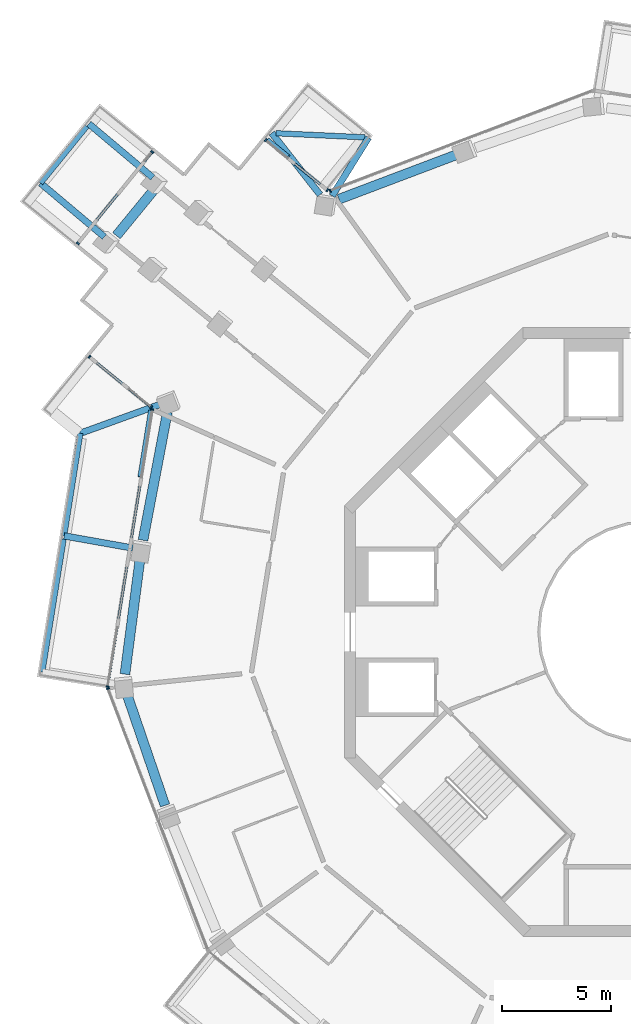
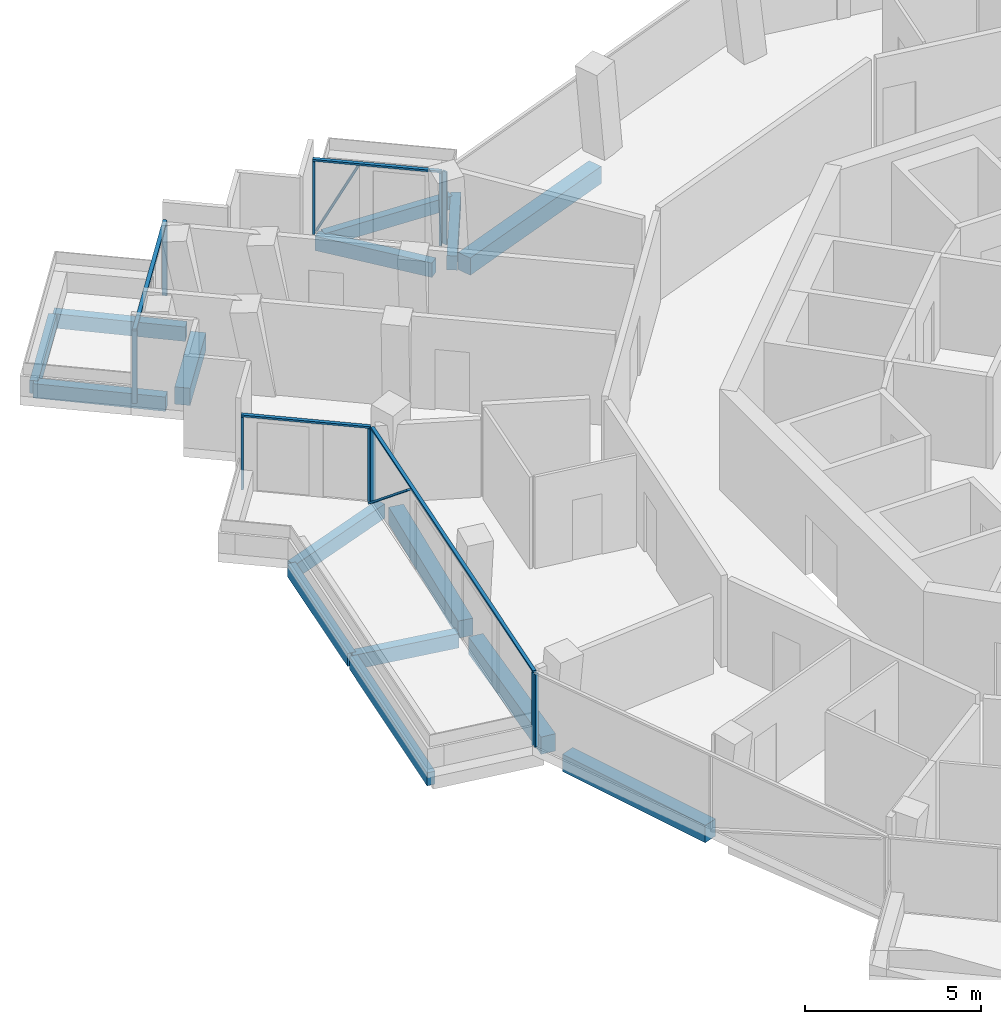
# One storey, part 6 of 23: 16 members, 15 beams, 6 elements without a shape of their own.
"""IFC4 building model written with IfcOpenShell, lengths in metres."""

from ifc_helpers import new_model, si_unit, direction, frame, origin, origin_2d, place, context, subcontext, project, spatial, rectangle, extrude, material, layer, layer_set, material_profile, profile_set, type_object, element, aggregate, save


model = new_model("IFC4")

# Units and contexts
model_context = context("Model", 3, precision=1e-05, world=origin(), true_north=direction((0.0, 1.0)))
body_context = subcontext(model_context, "Body", "Model", "MODEL_VIEW")
ifc_project = project(units=[si_unit("LENGTHUNIT", "METRE"), si_unit("AREAUNIT", "SQUARE_METRE"), si_unit("VOLUMEUNIT", "CUBIC_METRE"), si_unit("PLANEANGLEUNIT", "RADIAN"), si_unit("MASSUNIT", "GRAM", prefix="KILO")], contexts=[model_context])

# Site, building, storey
site_placement = place(None, origin())
site = spatial("IfcSite", under=ifc_project, at=site_placement, CompositionType="ELEMENT")
building_placement = place(site_placement, origin())
building = spatial("IfcBuilding", under=site, at=building_placement, Name="Verdalira Terraces Hotel", CompositionType="ELEMENT")
storey_placement = place(building_placement, frame((0.0, 0.0, 241.0)))
storey = spatial("IfcBuildingStorey", under=building, at=storey_placement, Name="L59", CompositionType="ELEMENT", Elevation=241.0)

# Beams
ifc_material_1 = material(Name="Concrete C40", Category="concrete")
ifc_material_profile_1 = material_profile(ifc_material_1, rectangle(XDim=0.300049, YDim=0.5, at=origin_2d()), Name="RC 300X500")
ifc_profile_set_1 = profile_set([ifc_material_profile_1], Name="Concrete C40")
beam_type_1 = type_object("IfcBeamType", Name="Balcony cantilever beam RC 300X500 C40", PredefinedType="BEAM", material=ifc_profile_set_1)
beam_1_placement = place(storey_placement, frame((-15.130615, 20.108887, -0.560059), z_axis=(-0.616712423, 0.787188533, 0.0), x_axis=(-0.787188533, -0.616712423, 0.0)))
element("IfcBeam", 1, at=beam_1_placement, inside=storey, type_object=beam_type_1, Name="Balcony cantilever beam R00-1", PredefinedType="BEAM", context=body_context, shape_type="SweptSolid", body=[
    extrude(rectangle(XDim=0.300049, YDim=0.5, at=origin_2d()), origin(), (0.0, 0.0, 1.0), 3.598877),
])
beam_2_placement = place(storey_placement, frame((-14.571777, 20.052002, -0.560059), z_axis=(0.528846969, 0.848717199, 0.0), x_axis=(-0.848717199, 0.528846969, 0.0)))
element("IfcBeam", 2, at=beam_2_placement, inside=storey, type_object=beam_type_1, Name="Balcony cantilever beam R00-2", PredefinedType="BEAM", context=body_context, shape_type="SweptSolid", body=[
    extrude(rectangle(XDim=0.300049, YDim=0.5, at=origin_2d()), origin(), (0.0, 0.0, 1.0), 3.163574),
])
beam_3_placement = place(storey_placement, frame((-22.823242, 20.894775, -0.560059), z_axis=(-0.765138608, 0.6438656, 0.0), x_axis=(-0.6438656, -0.765138608, 0.0)))
element("IfcBeam", 3, at=beam_3_placement, inside=storey, type_object=beam_type_1, Name="Balcony cantilever beam R05-1", PredefinedType="BEAM", context=body_context, shape_type="SweptSolid", body=[
    extrude(rectangle(XDim=0.300049, YDim=0.5, at=origin_2d()), origin(), (0.0, 0.0, 1.0), 3.841064),
])
beam_4_placement = place(storey_placement, frame((-25.048096, 18.166992, -0.560059), z_axis=(-0.765124058, 0.64388289, 0.0), x_axis=(-0.64388289, -0.765124058, 0.0)))
element("IfcBeam", 4, at=beam_4_placement, inside=storey, type_object=beam_type_1, Name="Balcony cantilever beam R05-2", PredefinedType="BEAM", context=body_context, shape_type="SweptSolid", body=[
    extrude(rectangle(XDim=0.300049, YDim=0.5, at=origin_2d()), origin(), (0.0, 0.0, 1.0), 3.835938),
])
beam_5_placement = place(storey_placement, frame((-22.439941, 10.480225, -0.560059), z_axis=(-0.940175418, -0.340690744, 0.0), x_axis=(0.340690744, -0.940175418, 0.0)))
element("IfcBeam", 5, at=beam_5_placement, inside=storey, type_object=beam_type_1, Name="Balcony cantilever beam R10-1", PredefinedType="BEAM", context=body_context, shape_type="SweptSolid", body=[
    extrude(rectangle(XDim=0.300049, YDim=0.5, at=origin_2d()), origin(), (0.0, 0.0, 1.0), 3.949951),
])
beam_6_placement = place(storey_placement, frame((-23.747314, 3.854492, -0.560059), z_axis=(-0.984559294, 0.175051408, 0.0), x_axis=(-0.175051408, -0.984559294, 0.0)))
element("IfcBeam", 6, at=beam_6_placement, inside=storey, type_object=beam_type_1, Name="Balcony cantilever beam R10-2", PredefinedType="BEAM", context=body_context, shape_type="SweptSolid", body=[
    extrude(rectangle(XDim=0.300049, YDim=0.5, at=origin_2d()), origin(), (0.0, 0.0, 1.0), 3.200684),
])
ifc_material_2 = material(Name="Concrete C40", Category="concrete")
ifc_material_profile_2 = material_profile(ifc_material_2, rectangle(XDim=0.25, YDim=0.449951, at=origin_2d()), Name="RC 250X450")
ifc_profile_set_2 = profile_set([ifc_material_profile_2], Name="Concrete C40")
beam_type_2 = type_object("IfcBeamType", Name="Balcony edge beam RC 250X450 C40", PredefinedType="BEAM", material=ifc_profile_set_2)
beam_7_placement = place(storey_placement, frame((-17.152344, 22.932861, -0.534912), z_axis=(0.998941135, -0.04600662, 0.0), x_axis=(0.04600662, 0.998941135, 0.0)))
element("IfcBeam", 7, at=beam_7_placement, inside=storey, type_object=beam_type_2, Name="Balcony edge beam R00-1", PredefinedType="BEAM", context=body_context, shape_type="SweptSolid", body=[
    extrude(rectangle(XDim=0.25, YDim=0.449951, at=origin_2d()), origin(), (0.0, 0.0, 1.0), 4.086182),
])
beam_8_placement = place(storey_placement, frame((-25.856934, 23.251465, -0.534912), z_axis=(-0.630938943, -0.775832488, 0.0), x_axis=(0.775832488, -0.630938943, 0.0)))
element("IfcBeam", 8, at=beam_8_placement, inside=storey, type_object=beam_type_2, Name="Balcony edge beam R05-1", PredefinedType="BEAM", context=body_context, shape_type="SweptSolid", body=[
    extrude(rectangle(XDim=0.25, YDim=0.449951, at=origin_2d()), origin(), (0.0, 0.0, 1.0), 3.369873),
])
beam_9_placement = place(storey_placement, frame((-26.153564, 9.134521, -0.534912), z_axis=(-0.155941583, -0.987766279, 0.0), x_axis=(0.987766279, -0.155941583, 0.0)))
element("IfcBeam", 9, at=beam_9_placement, inside=storey, type_object=beam_type_2, Name="Balcony edge beam R10-1", PredefinedType="BEAM", context=body_context, shape_type="SweptSolid", body=[
    extrude(rectangle(XDim=0.25, YDim=0.449951, at=origin_2d()), origin(), (0.0, 0.0, 1.0), 4.778076),
])
beam_10_placement = place(storey_placement, frame((-26.922363, 4.266602, -0.534912), z_axis=(-0.158511425, -0.987357143, 0.0), x_axis=(0.987357143, -0.158511425, 0.0)))
element("IfcBeam", 10, at=beam_10_placement, inside=storey, type_object=beam_type_2, Name="Balcony edge beam R10-2", PredefinedType="BEAM", context=body_context, shape_type="SweptSolid", body=[
    extrude(rectangle(XDim=0.25, YDim=0.449951, at=origin_2d()), origin(), (0.0, 0.0, 1.0), 6.196289),
])

# Curtain wall, members
ifc_material_3 = material(Name="Clear glass", Category="glass")
ifc_layer_1 = layer(ifc_material_3, 0.14990234375)
ifc_layer_set_1 = layer_set([ifc_layer_1], Name="CW1 curtain wall")
curtain_wall_type_1 = type_object("IfcCurtainWallType", Name="CW1 curtain wall", PredefinedType="NOTDEFINED", material=ifc_layer_set_1)
curtain_wall_1_placement = place(storey_placement, origin())
curtain_wall_1 = element("IfcCurtainWall", 11, at=curtain_wall_1_placement, inside=storey, type_object=curtain_wall_type_1, Name="CW1 curtain wall L59 edge 11", PredefinedType="NOTDEFINED")
ifc_material_4 = material(Name="Terracotta frame", Category="masonry")
ifc_material_profile_3 = material_profile(ifc_material_4, rectangle(XDim=0.060059, YDim=0.149902, at=origin_2d()), Name="MU 60x150")
ifc_profile_set_3 = profile_set([ifc_material_profile_3], Name="Terracotta frame")
member_type_1 = type_object("IfcMemberType", Name="CW1 mullion 60x150", PredefinedType="MULLION", material=ifc_profile_set_3)
member_1_placement = place(storey_placement, frame((-22.852051, 10.221436, 0.0), z_axis=(0.0, 0.0, 1.0), x_axis=(-0.15850273, -0.987358539, 0.0)))
member_1 = element("IfcMember", 12, at=member_1_placement, type_object=member_type_1, Name="CW1 mullion", PredefinedType="MULLION", context=body_context, shape_type="SweptSolid", body=[
    extrude(rectangle(XDim=0.060059, YDim=0.149902, at=origin_2d()), origin(), (0.0, 0.0, 1.0), 2.524902),
])
member_2_placement = place(storey_placement, frame((-24.896729, -2.515381, 0.0), z_axis=(0.0, 0.0, 1.0), x_axis=(-0.15850273, -0.987358539, 0.0)))
member_2 = element("IfcMember", 13, at=member_2_placement, type_object=member_type_1, Name="CW1 mullion", PredefinedType="MULLION", context=body_context, shape_type="SweptSolid", body=[
    extrude(rectangle(XDim=0.060059, YDim=0.149902, at=origin_2d()), origin(), (0.0, 0.0, 1.0), 2.524902),
])

# Curtain wall, member
curtain_wall_2_placement = place(storey_placement, origin())
curtain_wall_2 = element("IfcCurtainWall", 14, at=curtain_wall_2_placement, inside=storey, type_object=curtain_wall_type_1, Name="CW1 curtain wall L59 edge 12", PredefinedType="NOTDEFINED")
member_3_placement = place(storey_placement, frame((-24.886963, -2.611572, 0.0), z_axis=(0.0, 0.0, 1.0), x_axis=(0.356411879, -0.934328942, 0.0)))
member_3 = element("IfcMember", 15, at=member_3_placement, type_object=member_type_1, Name="CW1 mullion", PredefinedType="MULLION", context=body_context, shape_type="SweptSolid", body=[
    extrude(rectangle(XDim=0.060059, YDim=0.149902, at=origin_2d()), origin(), (0.0, 0.0, 1.0), 2.524902),
])
aggregate(curtain_wall_2, [member_3])

curtain_wall_3_placement = place(storey_placement, origin())
curtain_wall_3 = element("IfcCurtainWall", 16, at=curtain_wall_3_placement, inside=storey, type_object=curtain_wall_type_1, Name="CW1 curtain wall L59 edge 41", PredefinedType="NOTDEFINED")
member_4_placement = place(storey_placement, frame((-14.664307, 20.289307, 0.0), z_axis=(0.0, 0.0, 1.0), x_axis=(-0.934328942, -0.356411879, 0.0)))
member_4 = element("IfcMember", 17, at=member_4_placement, type_object=member_type_1, Name="CW1 mullion", PredefinedType="MULLION", context=body_context, shape_type="SweptSolid", body=[
    extrude(rectangle(XDim=0.060059, YDim=0.149902, at=origin_2d()), origin(), (0.0, 0.0, 1.0), 2.524902),
])
aggregate(curtain_wall_3, [member_4])

# Member
ifc_material_5 = material(Name="Terracotta frame", Category="masonry")
ifc_material_profile_4 = material_profile(ifc_material_5, rectangle(XDim=0.110107, YDim=0.064941, at=origin_2d()), Name="TR 65x110")
ifc_profile_set_4 = profile_set([ifc_material_profile_4], Name="Terracotta frame")
member_type_2 = type_object("IfcMemberType", Name="CW1 transom 65x110", PredefinedType="USERDEFINED", material=ifc_profile_set_4)
member_5_placement = place(storey_placement, frame((-22.847412, 10.250977, 2.557617), z_axis=(-0.158506258, -0.987357973, 0.0), x_axis=(0.987357973, -0.158506258, 0.0)))
member_5 = element("IfcMember", 18, at=member_5_placement, type_object=member_type_2, Name="CW1 transom", ObjectType="TRANSOM", PredefinedType="USERDEFINED", context=body_context, shape_type="SweptSolid", body=[
    extrude(rectangle(XDim=0.110107, YDim=0.064941, at=origin_2d()), origin(), (0.0, 0.0, 1.0), 12.959717),
])

# Curtain wall, members
ifc_material_6 = material(Name="Clear glass", Category="glass")
ifc_layer_2 = layer(ifc_material_6, 0.14990234375)
ifc_layer_set_2 = layer_set([ifc_layer_2], Name="CW2 curtain wall")
curtain_wall_type_2 = type_object("IfcCurtainWallType", Name="CW2 curtain wall", PredefinedType="NOTDEFINED", material=ifc_layer_set_2)
curtain_wall_4_placement = place(storey_placement, origin())
curtain_wall_4 = element("IfcCurtainWall", 19, at=curtain_wall_4_placement, inside=storey, type_object=curtain_wall_type_2, Name="CW2 curtain wall L59 edge 0", PredefinedType="NOTDEFINED")
ifc_material_7 = material(Name="Terracotta frame", Category="masonry")
ifc_material_profile_5 = material_profile(ifc_material_7, rectangle(XDim=0.070068, YDim=0.149902, at=origin_2d()), Name="MU 70x150")
ifc_profile_set_5 = profile_set([ifc_material_profile_5], Name="Terracotta frame")
member_type_3 = type_object("IfcMemberType", Name="CW2 mullion 70x150", PredefinedType="MULLION", material=ifc_profile_set_5)
member_6_placement = place(storey_placement, frame((-14.793457, 20.3125, 0.0), z_axis=(0.0, 0.0, 1.0), x_axis=(-0.775826212, 0.63094666, 0.0)))
member_6 = element("IfcMember", 20, at=member_6_placement, type_object=member_type_3, Name="CW2 mullion", PredefinedType="MULLION", context=body_context, shape_type="SweptSolid", body=[
    extrude(rectangle(XDim=0.070068, YDim=0.149902, at=origin_2d()), origin(), (0.0, 0.0, 1.0), 2.524902),
])
member_7_placement = place(storey_placement, frame((-17.627197, 22.616943, 0.0), z_axis=(0.0, 0.0, 1.0), x_axis=(-0.775826212, 0.63094666, 0.0)))
member_7 = element("IfcMember", 21, at=member_7_placement, type_object=member_type_3, Name="CW2 mullion", PredefinedType="MULLION", context=body_context, shape_type="SweptSolid", body=[
    extrude(rectangle(XDim=0.070068, YDim=0.149902, at=origin_2d()), origin(), (0.0, 0.0, 1.0), 2.524902),
])

curtain_wall_5_placement = place(storey_placement, origin())
curtain_wall_5 = element("IfcCurtainWall", 22, at=curtain_wall_5_placement, inside=storey, type_object=curtain_wall_type_2, Name="CW2 curtain wall L59 edge 10", PredefinedType="NOTDEFINED")
member_8_placement = place(storey_placement, frame((-25.734863, 12.647705, 0.0), z_axis=(0.0, 0.0, 1.0), x_axis=(0.775826212, -0.63094666, 0.0)))
member_8 = element("IfcMember", 23, at=member_8_placement, type_object=member_type_3, Name="CW2 mullion", PredefinedType="MULLION", context=body_context, shape_type="SweptSolid", body=[
    extrude(rectangle(XDim=0.070068, YDim=0.149902, at=origin_2d()), origin(), (0.0, 0.0, 1.0), 2.524902),
])
member_9_placement = place(storey_placement, frame((-22.901123, 10.343018, 0.0), z_axis=(0.0, 0.0, 1.0), x_axis=(0.775826212, -0.63094666, 0.0)))
member_9 = element("IfcMember", 24, at=member_9_placement, type_object=member_type_3, Name="CW2 mullion", PredefinedType="MULLION", context=body_context, shape_type="SweptSolid", body=[
    extrude(rectangle(XDim=0.070068, YDim=0.149902, at=origin_2d()), origin(), (0.0, 0.0, 1.0), 2.524902),
])

# Member
ifc_material_8 = material(Name="Terracotta frame", Category="masonry")
ifc_material_profile_6 = material_profile(ifc_material_8, rectangle(XDim=0.11499, YDim=0.064941, at=origin_2d()), Name="TR 65x115")
ifc_profile_set_6 = profile_set([ifc_material_profile_6], Name="Terracotta frame")
member_type_4 = type_object("IfcMemberType", Name="CW2 transom 65x115", PredefinedType="USERDEFINED", material=ifc_profile_set_6)
member_10_placement = place(storey_placement, frame((-14.766357, 20.290283, 2.557617), z_axis=(-0.77579493, 0.630985123, 0.0), x_axis=(-0.630985123, -0.77579493, 0.0)))
member_10 = element("IfcMember", 25, at=member_10_placement, type_object=member_type_4, Name="CW2 transom", ObjectType="TRANSOM", PredefinedType="USERDEFINED", context=body_context, shape_type="SweptSolid", body=[
    extrude(rectangle(XDim=0.11499, YDim=0.064941, at=origin_2d()), origin(), (0.0, 0.0, 1.0), 3.722656),
])

member_11_placement = place(storey_placement, frame((-25.761963, 12.669678, 2.557617), z_axis=(0.775827035, -0.630945649, 0.0), x_axis=(0.630945649, 0.775827035, 0.0)))
member_11 = element("IfcMember", 26, at=member_11_placement, type_object=member_type_4, Name="CW2 transom", ObjectType="TRANSOM", PredefinedType="USERDEFINED", context=body_context, shape_type="SweptSolid", body=[
    extrude(rectangle(XDim=0.11499, YDim=0.064941, at=origin_2d()), origin(), (0.0, 0.0, 1.0), 3.722412),
])

aggregate(curtain_wall_5, [member_8, member_9, member_11])

# Curtain wall, members
ifc_material_9 = material(Name="Clear glass", Category="glass")
ifc_layer_3 = layer(ifc_material_9, 0.14990234375)
ifc_layer_set_3 = layer_set([ifc_layer_3], Name="CW3 curtain wall")
curtain_wall_type_3 = type_object("IfcCurtainWallType", Name="CW3 curtain wall", PredefinedType="NOTDEFINED", material=ifc_layer_set_3)
curtain_wall_6_placement = place(storey_placement, origin())
curtain_wall_6 = element("IfcCurtainWall", 27, at=curtain_wall_6_placement, inside=storey, type_object=curtain_wall_type_3, Name="CW3 curtain wall L59 edge 5", PredefinedType="NOTDEFINED")
ifc_material_10 = material(Name="Terracotta frame", Category="masonry")
ifc_material_profile_7 = material_profile(ifc_material_10, rectangle(XDim=0.080078, YDim=0.149902, at=origin_2d()), Name="MU 80x150")
ifc_profile_set_7 = profile_set([ifc_material_profile_7], Name="Terracotta frame")
member_type_5 = type_object("IfcMemberType", Name="CW3 mullion 80x150", PredefinedType="MULLION", material=ifc_profile_set_7)
member_12_placement = place(storey_placement, frame((-22.849609, 22.075684, 0.0), z_axis=(0.0, 0.0, 1.0), x_axis=(-0.63094666, -0.775826212, 0.0)))
member_12 = element("IfcMember", 28, at=member_12_placement, type_object=member_type_5, Name="CW3 mullion", PredefinedType="MULLION", context=body_context, shape_type="SweptSolid", body=[
    extrude(rectangle(XDim=0.080078, YDim=0.149902, at=origin_2d()), origin(), (0.0, 0.0, 1.0), 2.524902),
])
member_13_placement = place(storey_placement, frame((-26.269287, 17.870605, 0.0), z_axis=(0.0, 0.0, 1.0), x_axis=(-0.63094666, -0.775826212, 0.0)))
member_13 = element("IfcMember", 29, at=member_13_placement, type_object=member_type_5, Name="CW3 mullion", PredefinedType="MULLION", context=body_context, shape_type="SweptSolid", body=[
    extrude(rectangle(XDim=0.080078, YDim=0.149902, at=origin_2d()), origin(), (0.0, 0.0, 1.0), 2.524902),
])
ifc_material_11 = material(Name="Terracotta frame", Category="masonry")
ifc_material_profile_8 = material_profile(ifc_material_11, rectangle(XDim=0.120117, YDim=0.064941, at=origin_2d()), Name="TR 65x120")
ifc_profile_set_8 = profile_set([ifc_material_profile_8], Name="Terracotta frame")
member_type_6 = type_object("IfcMemberType", Name="CW3 transom 65x120", PredefinedType="USERDEFINED", material=ifc_profile_set_8)
member_14_placement = place(storey_placement, frame((-22.824219, 22.106689, 2.557617), z_axis=(-0.630943494, -0.775828788, 0.0), x_axis=(0.775828788, -0.630943494, 0.0)))
member_14 = element("IfcMember", 30, at=member_14_placement, type_object=member_type_6, Name="CW3 transom", ObjectType="TRANSOM", PredefinedType="USERDEFINED", context=body_context, shape_type="SweptSolid", body=[
    extrude(rectangle(XDim=0.120117, YDim=0.064941, at=origin_2d()), origin(), (0.0, 0.0, 1.0), 5.5),
])
aggregate(curtain_wall_6, [member_12, member_13, member_14])

# Member
ifc_material_12 = material(Name="Terracotta frame", Category="masonry")
ifc_material_profile_9 = material_profile(ifc_material_12, rectangle(XDim=0.149902, YDim=0.060059, at=origin_2d()), Name="GB 60x150")
ifc_profile_set_9 = profile_set([ifc_material_profile_9], Name="Terracotta frame")
member_type_7 = type_object("IfcMemberType", Name="Diagonal glazing bar 60x150", PredefinedType="USERDEFINED", material=ifc_profile_set_9)
member_15_placement = place(storey_placement, frame((-16.569092, 21.873779, 2.470459), z_axis=(-0.351371233, 0.285691841, -0.891581981), x_axis=(-0.630862219, -0.775894877, 0.0)))
member_15 = element("IfcMember", 31, at=member_15_placement, type_object=member_type_7, Name="Diagonal glazing bar", ObjectType="GLAZING BAR", PredefinedType="USERDEFINED", context=body_context, shape_type="SweptSolid", body=[
    extrude(rectangle(XDim=0.149902, YDim=0.060059, at=origin_2d()), origin(), (0.0, 0.0, 1.0), 2.709717),
])

aggregate(curtain_wall_4, [member_6, member_7, member_10, member_15])

member_16_placement = place(storey_placement, frame((-22.949707, 10.175537, 0.024658), z_axis=(-0.123470013, -0.769431999, 0.626681383), x_axis=(0.98736828, -0.158442039, 0.0)))
member_16 = element("IfcMember", 32, at=member_16_placement, type_object=member_type_7, Name="Diagonal glazing bar", ObjectType="GLAZING BAR", PredefinedType="USERDEFINED", context=body_context, shape_type="SweptSolid", body=[
    extrude(rectangle(XDim=0.149902, YDim=0.060059, at=origin_2d()), origin(), (0.0, 0.0, 1.0), 3.950684),
])

aggregate(curtain_wall_1, [member_1, member_2, member_5, member_16])

# Beams
ifc_material_13 = material(Name="Concrete C40", Category="concrete")
ifc_material_profile_10 = material_profile(ifc_material_13, rectangle(XDim=0.449951, YDim=0.600098, at=origin_2d()), Name="RC 450X600")
ifc_profile_set_10 = profile_set([ifc_material_profile_10], Name="Concrete C40")
beam_type_3 = type_object("IfcBeamType", Name="Spandrel beam RC 450X600 C40", PredefinedType="SPANDREL", material=ifc_profile_set_10)
beam_11_placement = place(storey_placement, frame((-22.714844, 20.397461, -0.610107), z_axis=(-0.633228329, -0.77396504, 0.0), x_axis=(0.77396504, -0.633228329, 0.0)))
element("IfcBeam", 33, at=beam_11_placement, inside=storey, type_object=beam_type_3, Name="Spandrel beam B01", PredefinedType="SPANDREL", context=body_context, shape_type="SweptSolid", body=[
    extrude(rectangle(XDim=0.449951, YDim=0.600098, at=origin_2d()), origin(), (0.0, 0.0, 1.0), 2.810303),
])
beam_12_placement = place(storey_placement, frame((-22.150879, 10.109619, -0.610107), z_axis=(-0.186904541, -0.98237808, 0.0), x_axis=(0.98237808, -0.186904541, 0.0)))
element("IfcBeam", 34, at=beam_12_placement, inside=storey, type_object=beam_type_3, Name="Spandrel beam B02", PredefinedType="SPANDREL", context=body_context, shape_type="SweptSolid", body=[
    extrude(rectangle(XDim=0.449951, YDim=0.600098, at=origin_2d()), origin(), (0.0, 0.0, 1.0), 5.999512),
])
beam_13_placement = place(storey_placement, frame((-23.4021, 3.403809, -0.610107), z_axis=(-0.129892532, -0.991528078, 0.0), x_axis=(0.991528078, -0.129892532, 0.0)))
element("IfcBeam", 35, at=beam_13_placement, inside=storey, type_object=beam_type_3, Name="Spandrel beam B03", PredefinedType="SPANDREL", context=body_context, shape_type="SweptSolid", body=[
    extrude(rectangle(XDim=0.449951, YDim=0.600098, at=origin_2d()), origin(), (0.0, 0.0, 1.0), 5.394287),
])
beam_14_placement = place(storey_placement, frame((-24.007812, -2.875977, -0.610107), z_axis=(0.323763345, -0.946138096, 0.0), x_axis=(0.946138096, 0.323763345, 0.0)))
element("IfcBeam", 36, at=beam_14_placement, inside=storey, type_object=beam_type_3, Name="Spandrel beam B04", PredefinedType="SPANDREL", context=body_context, shape_type="SweptSolid", body=[
    extrude(rectangle(XDim=0.449951, YDim=0.600098, at=origin_2d()), origin(), (0.0, 0.0, 1.0), 5.396973),
])
beam_15_placement = place(storey_placement, frame((-8.746582, 21.985352, -0.610107), z_axis=(-0.935372218, -0.353664832, 0.0), x_axis=(0.353664832, -0.935372218, 0.0)))
element("IfcBeam", 37, at=beam_15_placement, inside=storey, type_object=beam_type_3, Name="Spandrel beam B23", PredefinedType="SPANDREL", context=body_context, shape_type="SweptSolid", body=[
    extrude(rectangle(XDim=0.449951, YDim=0.600098, at=origin_2d()), origin(), (0.0, 0.0, 1.0), 5.892578),
])

save(model, "model.ifc")
